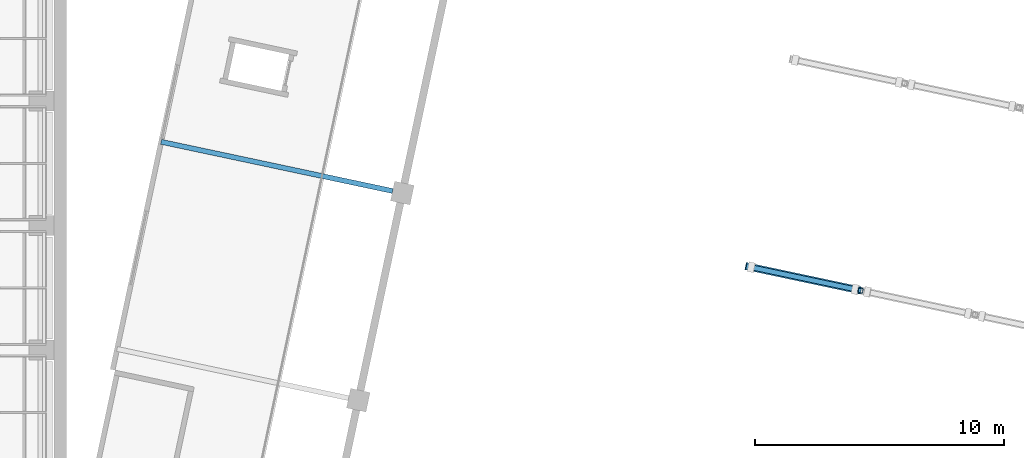
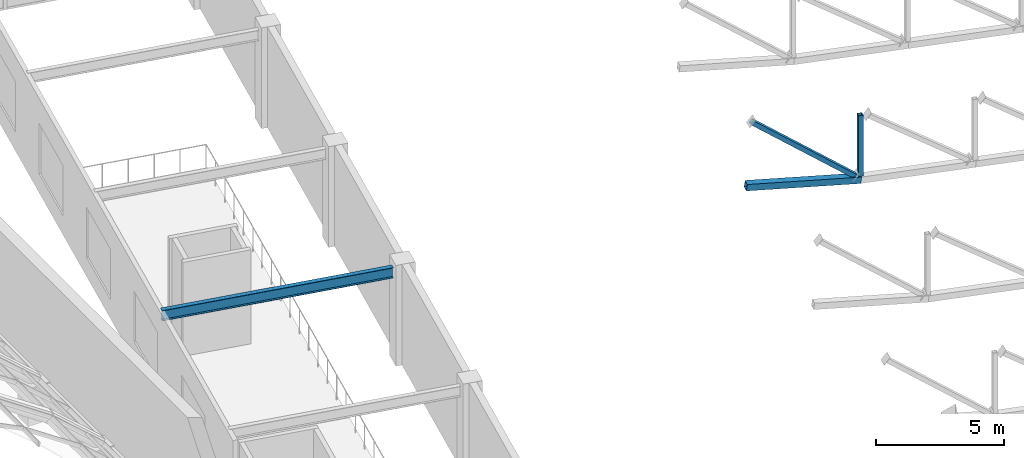
# One storey, part 60 of 182: 3 members, 1 beam.
"""IFC4 building model written with IfcOpenShell, lengths in metres."""

from ifc_helpers import new_model, si_unit, direction, frame, origin, origin_2d, place, context, subcontext, project, spatial, hollow_rectangle, i_section, extrude, material, material_profile, profile_set, type_object, element, save


model = new_model("IFC4")

# Units and contexts
model_context = context("Model", 3, precision=1e-05, world=origin(), true_north=direction((0.0, 1.0)))
body_context = subcontext(model_context, "Body", "Model", "MODEL_VIEW")
ifc_project = project(units=[si_unit("LENGTHUNIT", "METRE"), si_unit("AREAUNIT", "SQUARE_METRE"), si_unit("VOLUMEUNIT", "CUBIC_METRE"), si_unit("PLANEANGLEUNIT", "RADIAN"), si_unit("MASSUNIT", "GRAM", prefix="KILO")], contexts=[model_context])

# Site, building, storey
site_placement = place(None, origin())
site = spatial("IfcSite", under=ifc_project, at=site_placement, CompositionType="ELEMENT")
building_placement = place(site_placement, origin())
building = spatial("IfcBuilding", under=site, at=building_placement, Name="Okhra Congress Centre", CompositionType="ELEMENT")
storey_placement = place(building_placement, frame((0.0, 0.0, 7.199951171875)))
storey = spatial("IfcBuildingStorey", under=building, at=storey_placement, Name="L01", CompositionType="ELEMENT", Elevation=7.199951171875)

# Beam
ifc_material = material(Name="Steel S355J2", Category="steel")
ifc_material_profile_1 = material_profile(ifc_material, i_section(OverallWidth=0.199951171875, OverallDepth=0.5, WebThickness=0.01025390625, FlangeThickness=0.01611328125, at=origin_2d()), Name="IPE 500")
ifc_profile_set_1 = profile_set([ifc_material_profile_1], Name="Steel S355J2")
beam_type = type_object("IfcBeamType", Name="Steel foyer roof beam IPE 500", PredefinedType="BEAM", material=ifc_profile_set_1)
beam_placement = place(storey_placement, frame((193.800537109375, 114.361083984375, 4.25), z_axis=(0.978149314154, -0.207903629644, 0.0), x_axis=(0.207903629644, 0.978149314154, 0.0)))
element("IfcBeam", 1, at=beam_placement, inside=storey, type_object=beam_type, Name="Foyer roof beam 3", PredefinedType="BEAM", context=body_context, shape_type="SweptSolid", body=[
    extrude(i_section(OverallWidth=0.199951171875, OverallDepth=0.5, WebThickness=0.01025390625, FlangeThickness=0.01611328125, at=origin_2d()), origin(), (0.0, 0.0, 1.0), 9.5),
])

# Members
ifc_material_profile_2 = material_profile(ifc_material, hollow_rectangle(XDim=0.300048828125, YDim=0.300048828125, WallThickness=0.01611328125, at=origin_2d()), Name="RHS 300x300x16")
ifc_profile_set_2 = profile_set([ifc_material_profile_2], Name="Steel S355J2")
member_type_1 = type_object("IfcMemberType", Name="Steel truss chord RHS 300x300x16", PredefinedType="CHORD", material=ifc_profile_set_2)
member_1_placement = place(storey_placement, frame((217.276123046875, 109.37109375, 5.2041015625), z_axis=(0.968636356355, -0.205867376428, -0.13914823919), x_axis=(0.20788981954, 0.978152249362, 0.0)))
element("IfcMember", 2, at=member_1_placement, inside=storey, type_object=member_type_1, Name="Hall truss 3 bottom chord 4", PredefinedType="CHORD", context=body_context, shape_type="SweptSolid", body=[
    extrude(hollow_rectangle(XDim=0.300048828125, YDim=0.300048828125, WallThickness=0.01611328125, at=origin_2d()), origin(), (0.0, 0.0, 1.0), 4.74609375),
])
ifc_material_profile_3 = material_profile(ifc_material, hollow_rectangle(XDim=0.199951171875, YDim=0.199951171875, WallThickness=0.010009765625, at=origin_2d()), Name="RHS 200x200x10 diagonal")
ifc_profile_set_3 = profile_set([ifc_material_profile_3], Name="Steel S355J2")
member_type_2 = type_object("IfcMemberType", Name="Steel truss diagonal RHS 200x200x10", PredefinedType="BRACE", material=ifc_profile_set_3)
member_2_placement = place(storey_placement, frame((217.49951171875, 109.32373046875, 8.216552734375), z_axis=(0.755864219463, -0.160687840538, -0.634703631343), x_axis=(0.207941332766, 0.978141299674, 0.0)))
element("IfcMember", 3, at=member_2_placement, inside=storey, type_object=member_type_2, Name="Hall truss 3 diagonal 4", PredefinedType="BRACE", context=body_context, shape_type="SweptSolid", body=[
    extrude(hollow_rectangle(XDim=0.199951171875, YDim=0.199951171875, WallThickness=0.010009765625, at=origin_2d()), origin(), (0.0, 0.0, 1.0), 5.490966796875),
])
ifc_material_profile_4 = material_profile(ifc_material, hollow_rectangle(XDim=0.199951171875, YDim=0.199951171875, WallThickness=0.010009765625, at=origin_2d()), Name="RHS 200x200x10")
ifc_profile_set_4 = profile_set([ifc_material_profile_4], Name="Steel S355J2")
member_type_3 = type_object("IfcMemberType", Name="Steel truss post RHS 200x200x10", PredefinedType="POST", material=ifc_profile_set_4)
member_3_placement = place(storey_placement, frame((221.873291015625, 108.39404296875, 4.69384765625), z_axis=(0.0, 0.0, 1.0), x_axis=(0.978147600734, -0.207911690818, 0.0)))
element("IfcMember", 4, at=member_3_placement, inside=storey, type_object=member_type_3, Name="Hall truss 3 post 5", PredefinedType="POST", context=body_context, shape_type="SweptSolid", body=[
    extrude(hollow_rectangle(XDim=0.199951171875, YDim=0.199951171875, WallThickness=0.010009765625, at=origin_2d()), origin(), (0.0, 0.0, 1.0), 2.899658203125),
])

save(model, "model.ifc")
